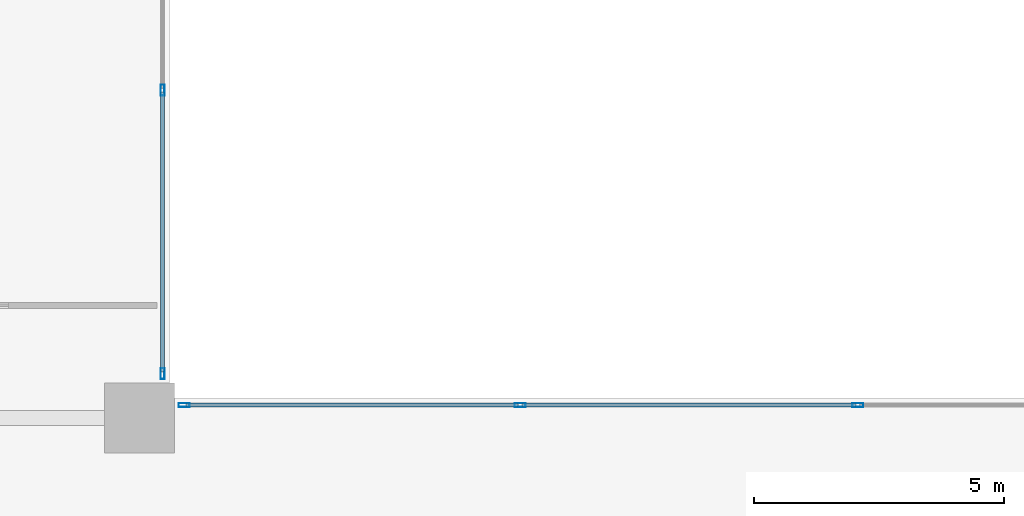
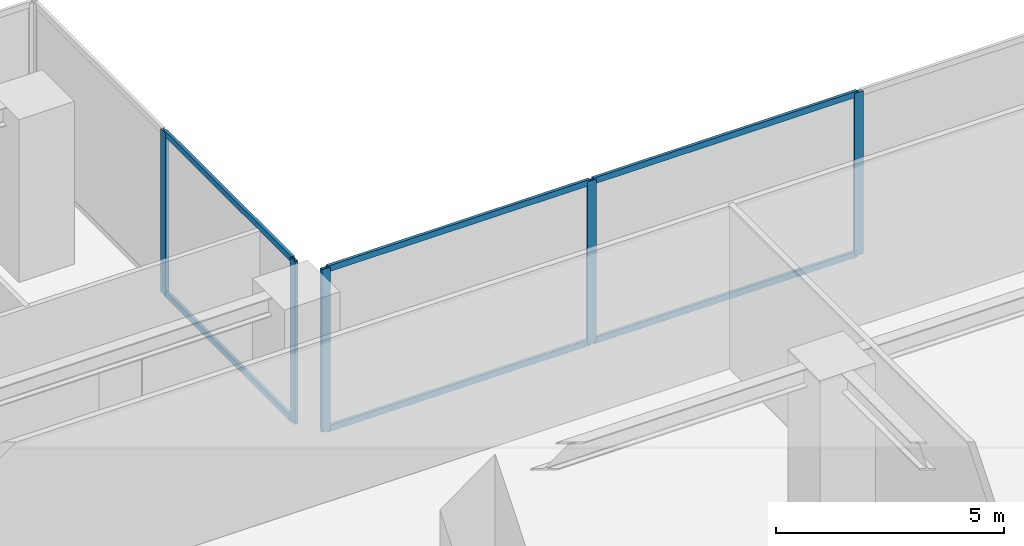
# One storey, part 5 of 18: 11 members, 2 elements without a shape of their own.
"""IFC4 building model written with IfcOpenShell, lengths in metres."""

from ifc_helpers import new_model, si_unit, direction, frame, origin, origin_with_axes, origin_2d, place, context, subcontext, project, spatial, hollow_rectangle, extrude, source, transform, mapped, material, layer, layer_set, material_profile, profile_set, type_object, element, aggregate, save


model = new_model("IFC4")

# Units and contexts
model_context = context("Model", 3, precision=1e-05, world=origin(), true_north=direction((0.0, 1.0)))
body_context = subcontext(model_context, "Body", "Model", "MODEL_VIEW")
ifc_project = project(units=[si_unit("LENGTHUNIT", "METRE"), si_unit("AREAUNIT", "SQUARE_METRE"), si_unit("VOLUMEUNIT", "CUBIC_METRE"), si_unit("PLANEANGLEUNIT", "RADIAN"), si_unit("MASSUNIT", "GRAM", prefix="KILO")], contexts=[model_context])

# Site, building, storey
site_placement = place(None, origin())
site = spatial("IfcSite", under=ifc_project, at=site_placement, CompositionType="ELEMENT")
building_placement = place(site_placement, origin())
building = spatial("IfcBuilding", under=site, at=building_placement, Name="Kolvaren Waterfront Exchange", CompositionType="ELEMENT")
storey_placement = place(building_placement, frame((0.0, 0.0, 24.800048828125)))
storey = spatial("IfcBuildingStorey", under=building, at=storey_placement, Name="L06", CompositionType="ELEMENT", Elevation=24.800048828125)

# Curtain wall, members
ifc_material_1 = material(Name="Anodised bronze aluminium 6063-T6", Category="aluminium")
ifc_layer = layer(ifc_material_1, 0.219970703125, Name="Anodised bronze aluminium 6063-T6")
ifc_layer_set = layer_set([ifc_layer], Name="Anodised bronze aluminium 6063-T6")
curtain_wall_type = type_object("IfcCurtainWallType", Name="ARC-CW-SYS4", PredefinedType="USERDEFINED", material=ifc_layer_set)
curtain_wall_1_placement = place(storey_placement, origin())
curtain_wall_1 = element("IfcCurtainWall", 1, at=curtain_wall_1_placement, inside=storey, type_object=curtain_wall_type, Name="L06 stick curtain wall CW4 (CW-L06-E2)", ObjectType="STICK CURTAIN WALL", PredefinedType="USERDEFINED")
ifc_material_2 = material(Name="Anodised aluminium 6063-T6", Category="aluminium")
ifc_material_profile_1 = material_profile(ifc_material_2, hollow_rectangle(XDim=0.074951171875, YDim=0.159912109375, WallThickness=0.00439453125, at=origin_2d()), Name="ALU-TRN-160x75x4.5")
ifc_profile_set_1 = profile_set([ifc_material_profile_1], Name="Anodised aluminium 6063-T6")
member_type_1 = type_object("IfcMemberType", Name="ARC-CWT-160", PredefinedType="USERDEFINED", material=ifc_profile_set_1)
shared_shape_1 = source(origin_with_axes(), body_context, "Body", "SweptSolid", [
    extrude(hollow_rectangle(XDim=0.074951171875, YDim=0.159912109375, WallThickness=0.00439453125, at=origin_2d()), origin(), (0.0, 0.0, 1.0), 6.632568359375),
])
member_1_placement = place(storey_placement, frame((44.362548828125, 39.06005859375, 0.037353515625), z_axis=(-1.0, 0.0, 0.0), x_axis=(0.0, -1.0, 0.0)))
member_1 = element("IfcMember", 2, at=member_1_placement, type_object=member_type_1, Name="CW4 transom 4.1", ObjectType="TRANSOM", PredefinedType="USERDEFINED", context=body_context, shape_type="MappedRepresentation", body=[
    mapped(shared_shape_1, transform((0.0, 0.0, 0.0), x_axis=(1.0, 0.0, 0.0), y_axis=(0.0, 1.0, 0.0), z_axis=(0.0, 0.0, 1.0), scale=1.0)),
])
member_2_placement = place(storey_placement, frame((44.362548828125, 39.06005859375, 4.3125), z_axis=(-1.0, 0.0, 0.0), x_axis=(0.0, -1.0, 0.0)))
member_2 = element("IfcMember", 3, at=member_2_placement, type_object=member_type_1, Name="CW4 transom 4.2", ObjectType="TRANSOM", PredefinedType="USERDEFINED", context=body_context, shape_type="MappedRepresentation", body=[
    mapped(shared_shape_1, transform((0.0, 0.0, 0.0), x_axis=(1.0, 0.0, 0.0), y_axis=(0.0, 1.0, 0.0), z_axis=(0.0, 0.0, 1.0), scale=1.0)),
])
shared_shape_2 = source(origin_with_axes(), body_context, "Body", "SweptSolid", [
    extrude(hollow_rectangle(XDim=0.074951171875, YDim=0.159912109375, WallThickness=0.00439453125, at=origin_2d()), origin(), (0.0, 0.0, 1.0), 6.672607421875),
])
member_3_placement = place(storey_placement, frame((51.114990234375, 39.06005859375, 0.037353515625), z_axis=(-1.0, 0.0, 0.0), x_axis=(0.0, -1.0, 0.0)))
member_3 = element("IfcMember", 4, at=member_3_placement, type_object=member_type_1, Name="CW4 transom 3.1", ObjectType="TRANSOM", PredefinedType="USERDEFINED", context=body_context, shape_type="MappedRepresentation", body=[
    mapped(shared_shape_2, transform((0.0, 0.0, 0.0), x_axis=(1.0, 0.0, 0.0), y_axis=(0.0, 1.0, 0.0), z_axis=(0.0, 0.0, 1.0), scale=1.0)),
])
member_4_placement = place(storey_placement, frame((51.114990234375, 39.06005859375, 4.3125), z_axis=(-1.0, 0.0, 0.0), x_axis=(0.0, -1.0, 0.0)))
member_4 = element("IfcMember", 5, at=member_4_placement, type_object=member_type_1, Name="CW4 transom 3.2", ObjectType="TRANSOM", PredefinedType="USERDEFINED", context=body_context, shape_type="MappedRepresentation", body=[
    mapped(shared_shape_2, transform((0.0, 0.0, 0.0), x_axis=(1.0, 0.0, 0.0), y_axis=(0.0, 1.0, 0.0), z_axis=(0.0, 0.0, 1.0), scale=1.0)),
])

curtain_wall_2_placement = place(storey_placement, origin())
curtain_wall_2 = element("IfcCurtainWall", 6, at=curtain_wall_2_placement, inside=storey, type_object=curtain_wall_type, Name="L06 stick curtain wall CW4 (CW-L06-N1)", ObjectType="STICK CURTAIN WALL", PredefinedType="USERDEFINED")
shared_shape_3 = source(origin_with_axes(), body_context, "Body", "SweptSolid", [
    extrude(hollow_rectangle(XDim=0.074951171875, YDim=0.159912109375, WallThickness=0.00439453125, at=origin_2d()), origin(), (0.0, 0.0, 1.0), 5.5849609375),
])
member_5_placement = place(storey_placement, frame((37.260009765625, 39.72998046875, 0.037353515625), z_axis=(0.0, 1.0, 0.0), x_axis=(-1.0, 0.0, 0.0)))
member_5 = element("IfcMember", 7, at=member_5_placement, type_object=member_type_1, Name="CW4 transom 1.1", ObjectType="TRANSOM", PredefinedType="USERDEFINED", context=body_context, shape_type="MappedRepresentation", body=[
    mapped(shared_shape_3, transform((0.0, 0.0, 0.0), x_axis=(1.0, 0.0, 0.0), y_axis=(0.0, 1.0, 0.0), z_axis=(0.0, 0.0, 1.0), scale=1.0)),
])
member_6_placement = place(storey_placement, frame((37.260009765625, 39.72998046875, 4.3125), z_axis=(0.0, 1.0, 0.0), x_axis=(-1.0, 0.0, 0.0)))
member_6 = element("IfcMember", 8, at=member_6_placement, type_object=member_type_1, Name="CW4 transom 1.2", ObjectType="TRANSOM", PredefinedType="USERDEFINED", context=body_context, shape_type="MappedRepresentation", body=[
    mapped(shared_shape_3, transform((0.0, 0.0, 0.0), x_axis=(1.0, 0.0, 0.0), y_axis=(0.0, 1.0, 0.0), z_axis=(0.0, 0.0, 1.0), scale=1.0)),
])

# Member
ifc_material_profile_2 = material_profile(ifc_material_2, hollow_rectangle(XDim=0.080078125, YDim=0.219970703125, WallThickness=0.0048828125, at=origin_2d()), Name="ALU-MUL-220x80x5")
ifc_profile_set_2 = profile_set([ifc_material_profile_2], Name="Anodised aluminium 6063-T6")
member_type_2 = type_object("IfcMemberType", Name="ARC-CWM-220", PredefinedType="MULLION", material=ifc_profile_set_2)
shared_shape_4 = source(origin_with_axes(), body_context, "Body", "SweptSolid", [
    extrude(hollow_rectangle(XDim=0.080078125, YDim=0.219970703125, WallThickness=0.0048828125, at=origin_2d()), origin(), (0.0, 0.0, 1.0), 4.349853515625),
])
member_7_placement = place(storey_placement, frame((51.155029296875, 39.06005859375, 0.0), z_axis=(0.0, 0.0, 1.0), x_axis=(0.0, -1.0, 0.0)))
member_7 = element("IfcMember", 9, at=member_7_placement, type_object=member_type_2, Name="CW4 mullion 3", PredefinedType="MULLION", context=body_context, shape_type="MappedRepresentation", body=[
    mapped(shared_shape_4, transform((0.0, 0.0, 0.0), x_axis=(1.0, 0.0, 0.0), y_axis=(0.0, 1.0, 0.0), z_axis=(0.0, 0.0, 1.0), scale=1.0)),
])

member_8_placement = place(storey_placement, frame((44.402587890625, 39.06005859375, 0.0), z_axis=(0.0, 0.0, 1.0), x_axis=(0.0, -1.0, 0.0)))
member_8 = element("IfcMember", 10, at=member_8_placement, type_object=member_type_2, Name="CW4 mullion 4", PredefinedType="MULLION", context=body_context, shape_type="MappedRepresentation", body=[
    mapped(shared_shape_4, transform((0.0, 0.0, 0.0), x_axis=(1.0, 0.0, 0.0), y_axis=(0.0, 1.0, 0.0), z_axis=(0.0, 0.0, 1.0), scale=1.0)),
])

member_9_placement = place(storey_placement, frame((37.68994140625, 39.06005859375, 0.0), z_axis=(0.0, 0.0, 1.0), x_axis=(0.0, -1.0, 0.0)))
member_9 = element("IfcMember", 11, at=member_9_placement, type_object=member_type_2, Name="CW4 mullion 5", PredefinedType="MULLION", context=body_context, shape_type="MappedRepresentation", body=[
    mapped(shared_shape_4, transform((0.0, 0.0, 0.0), x_axis=(1.0, 0.0, 0.0), y_axis=(0.0, 1.0, 0.0), z_axis=(0.0, 0.0, 1.0), scale=1.0)),
])

aggregate(curtain_wall_1, [member_7, member_8, member_9, member_3, member_4, member_1, member_2])

member_10_placement = place(storey_placement, frame((37.260009765625, 39.68994140625, 0.0), z_axis=(0.0, 0.0, 1.0), x_axis=(-1.0, 0.0, 0.0)))
member_10 = element("IfcMember", 12, at=member_10_placement, type_object=member_type_2, Name="CW4 mullion 1", PredefinedType="MULLION", context=body_context, shape_type="MappedRepresentation", body=[
    mapped(shared_shape_4, transform((0.0, 0.0, 0.0), x_axis=(1.0, 0.0, 0.0), y_axis=(0.0, 1.0, 0.0), z_axis=(0.0, 0.0, 1.0), scale=1.0)),
])

member_11_placement = place(storey_placement, frame((37.260009765625, 45.35498046875, 0.0), z_axis=(0.0, 0.0, 1.0), x_axis=(-1.0, 0.0, 0.0)))
member_11 = element("IfcMember", 13, at=member_11_placement, type_object=member_type_2, Name="CW4 mullion 2", PredefinedType="MULLION", context=body_context, shape_type="MappedRepresentation", body=[
    mapped(shared_shape_4, transform((0.0, 0.0, 0.0), x_axis=(1.0, 0.0, 0.0), y_axis=(0.0, 1.0, 0.0), z_axis=(0.0, 0.0, 1.0), scale=1.0)),
])

aggregate(curtain_wall_2, [member_10, member_11, member_5, member_6])

save(model, "model.ifc")
